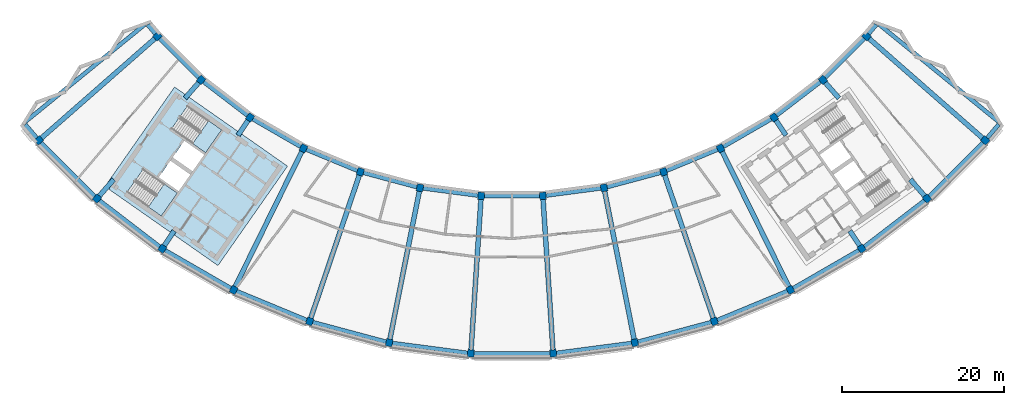
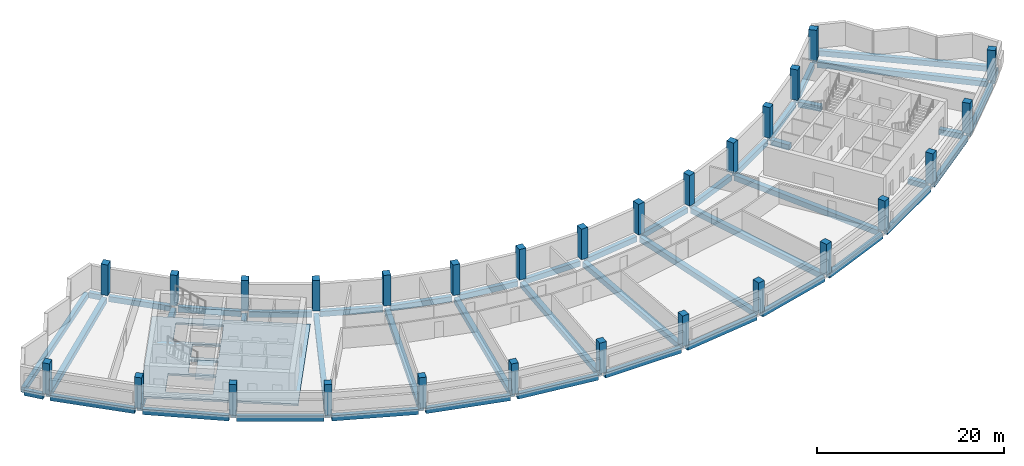
# One storey, part 1 of 11: 50 beams, 28 columns, 3 slabs, 2 elements without a shape of their own.
"""IFC4 building model written with IfcOpenShell, lengths in metres."""

import ifcopenshell
import ifcopenshell.guid

model = None  # the IFC model being written
_history = None  # IfcOwnerHistory: only IFC2X3 demands one
_inside = {}  # id of a spatial element -> (the spatial element, [elements in it])
_under = {}  # id of a project, library or spatial element -> (it, [spatial elements below it])
_declared = {}  # id of a project -> (the project, [libraries it declares])
_typed = {}  # id of a type object -> (the type object, [elements of that type])
_made_of = {}  # id of a material, layer set ... -> (it, [elements and type objects made of it])


def new_model(schema):
    """Start an empty IFC model of exactly this schema.

    Asked for "IFC4X3", IfcOpenShell would pick the latest addendum, in which some entities
    have other attributes; the version numbers below select the first issue.
    IFC2X3 requires an IfcOwnerHistory on every rooted entity: one is made here for all.
    """
    global model, _history
    if schema == "IFC4X3":
        model = ifcopenshell.file(schema_version=(4, 3, 0, 0))
    else:
        model = ifcopenshell.file(schema=schema)
    _inside.clear()
    _under.clear()
    _declared.clear()
    _typed.clear()
    _made_of.clear()
    _history = None
    if model.schema == "IFC2X3":
        org = make("IfcOrganization", Name="unknown")
        user = make(
            "IfcPersonAndOrganization",
            ThePerson=make("IfcPerson", FamilyName="unknown"),
            TheOrganization=org,
        )
        app = make(
            "IfcApplication",
            ApplicationDeveloper=org,
            Version="unknown",
            ApplicationFullName="unknown",
            ApplicationIdentifier="unknown",
        )
        _history = make(
            "IfcOwnerHistory",
            OwningUser=user,
            OwningApplication=app,
            ChangeAction="ADDED",
            CreationDate=0,
        )
    return model


def make(cls, **values):
    """One entity of the class cls with the attributes given. An attribute that is None is left unset."""
    return model.create_entity(
        cls, **{name: value for name, value in values.items() if value is not None}
    )


def rooted(cls, **values):
    """An entity with a GlobalId (a new one), such as an element, a storey or a relation."""
    return make(cls, GlobalId=ifcopenshell.guid.new(), OwnerHistory=_history, **values)


def si_unit(unit_type, name, prefix=None):
    """IfcSIUnit, for example si_unit("LENGTHUNIT", "METRE", prefix="MILLI")."""
    return make("IfcSIUnit", UnitType=unit_type, Prefix=prefix, Name=name)


def assignment(units):
    """IfcUnitAssignment: the units of a project."""
    return None if units is None else make("IfcUnitAssignment", Units=units)


def point(xyz):
    """IfcCartesianPoint."""
    return None if xyz is None else make("IfcCartesianPoint", Coordinates=xyz)


def direction(xyz):
    """IfcDirection."""
    return None if xyz is None else make("IfcDirection", DirectionRatios=xyz)


def frame(location, z_axis=None, x_axis=None):
    """IfcAxis2Placement3D, a coordinate frame: its origin and axes. An axis left out is left unset."""
    return make(
        "IfcAxis2Placement3D",
        Location=point(location),
        Axis=direction(z_axis),
        RefDirection=direction(x_axis),
    )


def frame_2d(location, x_axis=None):
    """IfcAxis2Placement2D, a coordinate frame in the plane: its origin and x axis."""
    return make(
        "IfcAxis2Placement2D", Location=point(location), RefDirection=direction(x_axis)
    )


def origin():
    """The frame at (0, 0, 0) with its axes left unset."""
    return frame((0.0, 0.0, 0.0))


def origin_2d():
    """The frame at (0, 0) in the plane with its x axis left unset."""
    return frame_2d((0.0, 0.0))


def place(relative_to, where):
    """IfcLocalPlacement: puts the frame where relative to a parent placement (None: the world)."""
    return make(
        "IfcLocalPlacement", PlacementRelTo=relative_to, RelativePlacement=where
    )


def context(
    kind, dimensions, precision=None, world=None, true_north=None, identifier=None
):
    """IfcGeometricRepresentationContext, for example the 3D "Model" context."""
    return make(
        "IfcGeometricRepresentationContext",
        ContextIdentifier=identifier,
        ContextType=kind,
        CoordinateSpaceDimension=dimensions,
        Precision=precision,
        WorldCoordinateSystem=world,
        TrueNorth=true_north,
    )


def subcontext(parent, identifier, kind, view, scale=None):
    """IfcGeometricRepresentationSubContext, for example "Body" below "Model"."""
    return make(
        "IfcGeometricRepresentationSubContext",
        ContextIdentifier=identifier,
        ContextType=kind,
        ParentContext=parent,
        TargetScale=scale,
        TargetView=view,
    )


def project(units=None, contexts=None):
    """IfcProject with its units and contexts."""
    return rooted(
        "IfcProject",
        Name="project",
        RepresentationContexts=contexts,
        UnitsInContext=assignment(units),
    )


def spatial(cls, under=None, at=None, **own):
    """A site, building, storey or space (cls), placed at a placement, below another one or the project."""
    s = rooted(cls, ObjectPlacement=at, **own)
    if under is not None:
        _under.setdefault(under.id(), (under, []))[1].append(s)
    return s


def polyline(points):
    """IfcPolyline through the points."""
    return make("IfcPolyline", Points=[point(p) for p in points])


def profile(cls, at=None, kind="AREA", **sizes):
    """A parametric profile (cls). Its sizes go by their IFC names, for example OverallWidth=200.0."""
    return make(cls, ProfileType=kind, Position=at, **sizes)


def rectangle(**sizes):
    """IfcRectangleProfileDef."""
    return profile("IfcRectangleProfileDef", **sizes)


def outline(outer, holes=None, kind="AREA"):
    """IfcArbitraryClosedProfileDef: a profile drawn as a closed curve; with holes, ...WithVoids."""
    if holes is None:
        return make("IfcArbitraryClosedProfileDef", ProfileType=kind, OuterCurve=outer)
    return make(
        "IfcArbitraryProfileDefWithVoids",
        ProfileType=kind,
        OuterCurve=outer,
        InnerCurves=holes,
    )


def extrude(swept, where, along, depth):
    """IfcExtrudedAreaSolid: the profile swept, set in the frame where, extruded along a direction by depth."""
    return make(
        "IfcExtrudedAreaSolid",
        SweptArea=swept,
        Position=where,
        ExtrudedDirection=direction(along),
        Depth=depth,
    )


def shape(context_of_items, identifier, shape_type, items):
    """IfcShapeRepresentation: the items that make up one representation, for example the "Body"."""
    return make(
        "IfcShapeRepresentation",
        ContextOfItems=context_of_items,
        RepresentationIdentifier=identifier,
        RepresentationType=shape_type,
        Items=items,
    )


def material(Name=None, Category=None):
    """IfcMaterial."""
    return make("IfcMaterial", Name=Name, Category=Category)


def layer(
    of_material, thickness, ventilated=None, Name=None, Category=None, Priority=None
):
    """IfcMaterialLayer: one layer of a wall or slab, of a material (None: an air gap)."""
    return make(
        "IfcMaterialLayer",
        Material=of_material,
        LayerThickness=thickness,
        IsVentilated=ventilated,
        Name=Name,
        Category=Category,
        Priority=Priority,
    )


def layer_set(layers, Name=None):
    """IfcMaterialLayerSet."""
    return make("IfcMaterialLayerSet", MaterialLayers=layers, LayerSetName=Name)


def material_profile(
    of_material, cross_section, Name=None, Category=None, Priority=None
):
    """IfcMaterialProfile: a cross section and its material."""
    return make(
        "IfcMaterialProfile",
        Name=Name,
        Material=of_material,
        Profile=cross_section,
        Priority=Priority,
        Category=Category,
    )


def profile_set(profiles, Name=None, composite=None):
    """IfcMaterialProfileSet."""
    return make(
        "IfcMaterialProfileSet",
        Name=Name,
        MaterialProfiles=profiles,
        CompositeProfile=composite,
    )


def made_of(thing, what):
    """Note that an element or type object is made of a material, layer set ...; save() writes the relation."""
    if what is not None:
        _made_of.setdefault(what.id(), (what, []))[1].append(thing)
    return thing


def type_object(cls, material=None, **own):
    """A type object (cls), such as IfcWallType, which elements share."""
    return made_of(rooted(cls, **own), material)


def element(
    cls,
    number,
    at=None,
    inside=None,
    cuts=None,
    type_object=None,
    material=None,
    context=None,
    identifier="Body",
    shape_type=None,
    held_by="IfcProductDefinitionShape",
    body=None,
    shapes=None,
    **own,
):
    """One element of the class cls, such as IfcWall. Its Tag is "e" and its number.

    at: its placement. inside: the storey or other place that contains it. cuts: it is an
    opening in that element (IfcRelVoidsElement). A single representation is given by context,
    identifier, shape_type and body (its items); several are given by shapes. held_by: the class
    of the entity that holds the representations. save() writes the other relations.
    """
    e = rooted(cls, Tag="e%d" % number, ObjectPlacement=at, **own)
    if body is not None:
        shapes = [shape(context, identifier, shape_type, body)]
    if shapes is not None:
        e.Representation = make(held_by, Representations=shapes)
    if inside is not None:
        _inside.setdefault(inside.id(), (inside, []))[1].append(e)
    if cuts is not None:
        rooted(
            "IfcRelVoidsElement", RelatingBuildingElement=cuts, RelatedOpeningElement=e
        )
    if type_object is not None:
        _typed.setdefault(type_object.id(), (type_object, []))[1].append(e)
    return made_of(e, material)


def aggregate(whole, parts):
    """IfcRelAggregates: a whole, such as a stair, and the parts it consists of."""
    return rooted("IfcRelAggregates", RelatingObject=whole, RelatedObjects=parts)


def save(model, path):
    """Write the relations noted so far, then the file.

    IfcRelAggregates (storeys below a building ...), IfcRelContainedInSpatialStructure (elements
    in a storey), IfcRelDefinesByType, IfcRelAssociatesMaterial and IfcRelDeclares: one each for
    every whole, place, type object, material and project.
    """
    for whole, parts in _under.values():
        aggregate(whole, parts)
    for where, things in _inside.values():
        rooted(
            "IfcRelContainedInSpatialStructure",
            RelatedElements=things,
            RelatingStructure=where,
        )
    for kind, things in _typed.values():
        rooted("IfcRelDefinesByType", RelatedObjects=things, RelatingType=kind)
    for what, things in _made_of.values():
        rooted("IfcRelAssociatesMaterial", RelatedObjects=things, RelatingMaterial=what)
    for by, libraries in _declared.values():
        rooted("IfcRelDeclares", RelatingContext=by, RelatedDefinitions=libraries)
    model.write(path)


model = new_model("IFC4")

# Units and contexts
model_context = context("Model", 3, precision=1e-05, world=origin(), true_north=direction((0.0, 1.0)))
body_context = subcontext(model_context, "Body", "Model", "MODEL_VIEW")
ifc_project = project(units=[si_unit("LENGTHUNIT", "METRE"), si_unit("AREAUNIT", "SQUARE_METRE"), si_unit("VOLUMEUNIT", "CUBIC_METRE"), si_unit("PLANEANGLEUNIT", "RADIAN"), si_unit("MASSUNIT", "GRAM", prefix="KILO")], contexts=[model_context])

# Site, building, storey
site_placement = place(None, origin())
site = spatial("IfcSite", under=ifc_project, at=site_placement, CompositionType="ELEMENT")
building_placement = place(site_placement, origin())
building = spatial("IfcBuilding", under=site, at=building_placement, Name="Qamariyya Broadcast Tower", CompositionType="ELEMENT")
storey_placement = place(building_placement, frame((0.0, 0.0, 314.699951171875)))
storey = spatial("IfcBuildingStorey", under=building, at=storey_placement, Name="L76", CompositionType="ELEMENT", Elevation=314.699951171875)

# Columns
ifc_material_1 = material(Name="Concrete C50/60", Category="concrete")
ifc_material_profile_1 = material_profile(ifc_material_1, rectangle(XDim=0.800048828125, YDim=0.89990234375, at=origin_2d()))
ifc_profile_set_1 = profile_set([ifc_material_profile_1], Name="Concrete C50/60")
column_type = type_object("IfcColumnType", Name="RC column 800 x 900 C50/60", PredefinedType="COLUMN", material=ifc_profile_set_1)
for number, where, z_axis, x_axis, name in (
    (1, (-43.794677734375, -38.406982421875, 0.0), (0.0, 0.0, 1.0), (0.6593458151, -0.751839807479, 0.0), "Column C13 L76 B-R04"),
    (2, (-58.45556640625, -51.26416015625, 0.0), (0.0, 0.0, 1.0), (0.6593458151, -0.751839807479, 0.0), "Column C13 L76 C-R04"),
    (3, (-38.406982421875, -43.794677734375, 0.0), (0.0, 0.0, 1.0), (0.751839807479, -0.6593458151, 0.0), "Column C13 L76 B-R05"),
    (4, (-51.26416015625, -58.45556640625, 0.0), (0.0, 0.0, 1.0), (0.751839807479, -0.6593458151, 0.0), "Column C13 L76 C-R05"),
    (5, (-32.362060546875, -48.43310546875, 0.0), (0.0, 0.0, 1.0), (0.831469612303, -0.55557023302, 0.0), "Column C13 L76 B-R06"),
    (6, (-43.195556640625, -64.646728515625, 0.0), (0.0, 0.0, 1.0), (0.831469612303, -0.55557023302, 0.0), "Column C13 L76 C-R06"),
    (7, (-25.763427734375, -52.242919921875, 0.0), (0.0, 0.0, 1.0), (0.896872741533, -0.442288690219, 0.0), "Column C13 L76 B-R07"),
    (8, (-34.387939453125, -69.73193359375, 0.0), (0.0, 0.0, 1.0), (0.896872741533, -0.442288690219, 0.0), "Column C13 L76 C-R07"),
    (9, (-18.723876953125, -55.15869140625, 0.0), (0.0, 0.0, 1.0), (0.946930129495, -0.321439465303, 0.0), "Column C13 L76 B-R08"),
    (10, (-24.991943359375, -73.623779296875, 0.0), (0.0, 0.0, 1.0), (0.946930129495, -0.321439465303, 0.0), "Column C13 L76 C-R08"),
    (11, (-11.364013671875, -57.130859375, 0.0), (0.0, 0.0, 1.0), (0.980785280403, -0.195090322016, 0.0), "Column C13 L76 B-R09"),
    (12, (-15.168212890625, -76.256103515625, 0.0), (0.0, 0.0, 1.0), (0.980785280403, -0.195090322016, 0.0), "Column C13 L76 C-R09"),
    (13, (-3.809814453125, -58.125244140625, 0.0), (0.0, 0.0, 1.0), (0.997858923239, -0.06540312923, 0.0), "Column C13 L76 B-R10"),
    (14, (-5.085205078125, -77.58349609375, 0.0), (0.0, 0.0, 1.0), (0.997858923239, -0.06540312923, 0.0), "Column C13 L76 C-R10"),
    (15, (3.809814453125, -58.125244140625, 0.0), (0.0, 0.0, 1.0), (0.997858923239, 0.06540312923, 0.0), "Column C13 L76 B-R11"),
    (16, (5.085205078125, -77.58349609375, 0.0), (0.0, 0.0, 1.0), (0.997858923239, 0.06540312923, 0.0), "Column C13 L76 C-R11"),
    (17, (11.364013671875, -57.130859375, 0.0), (0.0, 0.0, 1.0), (0.980785280403, 0.195090322016, 0.0), "Column C13 L76 B-R12"),
    (18, (15.168212890625, -76.256103515625, 0.0), (0.0, 0.0, 1.0), (0.980785280403, 0.195090322016, 0.0), "Column C13 L76 C-R12"),
    (19, (18.723876953125, -55.15869140625, 0.0), (0.0, 0.0, 1.0), (0.946930129495, 0.321439465303, 0.0), "Column C13 L76 B-R13"),
    (20, (24.991943359375, -73.623779296875, 0.0), (0.0, 0.0, 1.0), (0.946930129495, 0.321439465303, 0.0), "Column C13 L76 C-R13"),
    (21, (25.763427734375, -52.242919921875, 0.0), (0.0, 0.0, 1.0), (0.896872741533, 0.442288690219, 0.0), "Column C13 L76 B-R14"),
    (22, (34.387939453125, -69.73193359375, 0.0), (0.0, 0.0, 1.0), (0.896872741533, 0.442288690219, 0.0), "Column C13 L76 C-R14"),
    (23, (32.362060546875, -48.43310546875, 0.0), (0.0, 0.0, 1.0), (0.831469612303, 0.55557023302, 0.0), "Column C13 L76 B-R15"),
    (24, (43.195556640625, -64.646728515625, 0.0), (0.0, 0.0, 1.0), (0.831469612303, 0.55557023302, 0.0), "Column C13 L76 C-R15"),
    (25, (38.406982421875, -43.794677734375, 0.0), (0.0, 0.0, 1.0), (0.751839807479, 0.6593458151, 0.0), "Column C13 L76 B-R16"),
    (26, (51.26416015625, -58.45556640625, 0.0), (0.0, 0.0, 1.0), (0.751839807479, 0.6593458151, 0.0), "Column C13 L76 C-R16"),
    (27, (43.794677734375, -38.406982421875, 0.0), (0.0, 0.0, 1.0), (0.6593458151, 0.751839807479, 0.0), "Column C13 L76 B-R17"),
    (28, (58.45556640625, -51.26416015625, 0.0), (0.0, 0.0, 1.0), (0.6593458151, 0.751839807479, 0.0), "Column C13 L76 C-R17"),
):
    element("IfcColumn", number, at=place(storey_placement, frame(where, z_axis=z_axis, x_axis=x_axis)), inside=storey, type_object=column_type, Name=name, PredefinedType="COLUMN", context=body_context, shape_type="SweptSolid", body=[
        extrude(rectangle(XDim=0.800048828125, YDim=0.89990234375, at=origin_2d()), origin(), (0.0, 0.0, 1.0), 4.0),
    ])

# Beams
ifc_material_2 = material(Name="Concrete C40/50", Category="concrete")
ifc_material_profile_2 = material_profile(ifc_material_2, rectangle(XDim=0.5, YDim=0.699951171875, at=origin_2d()))
ifc_profile_set_2 = profile_set([ifc_material_profile_2], Name="Concrete C40/50")
beam_type_1 = type_object("IfcBeamType", Name="RC edge beam 500 x 700 C40/50", PredefinedType="SPANDREL", material=ifc_profile_set_2)
beam_1_placement = place(storey_placement, frame((-43.51123046875, -38.6904296875, -0.599853515625), z_axis=(0.707106781187, -0.707106781187, 0.0), x_axis=(0.707106781187, 0.707106781187, 0.0)))
element("IfcBeam", 29, at=beam_1_placement, inside=storey, type_object=beam_type_1, Name="Edge beam B32 L76 B R04-R05", PredefinedType="SPANDREL", context=body_context, shape_type="SweptSolid", body=[
    extrude(rectangle(XDim=0.5, YDim=0.699951171875, at=origin_2d()), origin(), (0.0, 0.0, 1.0), 6.817626953125),
])
for number, where, z_axis, x_axis, name in (
    (30, (-38.0888671875, -44.03857421875, -0.599853515625), (0.793355578527, -0.608758512072, 0.0), (0.608758512072, 0.793355578527, 0.0), "Edge beam B32 L76 B R05-R06"),
    (31, (-32.014892578125, -48.633544921875, -0.599853515625), (0.866028756998, -0.499994192018, 0.0), (0.499994192018, 0.866028756998, 0.0), "Edge beam B32 L76 B R06-R07"),
    (32, (-25.39306640625, -52.396240234375, -0.599853515625), (0.923875859791, -0.382692298976, 0.0), (0.382692298976, 0.923875859791, 0.0), "Edge beam B32 L76 B R07-R08"),
    (33, (-18.336669921875, -55.262451171875, -0.599853515625), (0.965922796001, -0.258830354026, 0.0), (0.258830354026, 0.965922796001, 0.0), "Edge beam B32 L76 B R08-R09"),
):
    element("IfcBeam", number, at=place(storey_placement, frame(where, z_axis=z_axis, x_axis=x_axis)), inside=storey, type_object=beam_type_1, Name=name, PredefinedType="SPANDREL", context=body_context, shape_type="SweptSolid", body=[
        extrude(rectangle(XDim=0.5, YDim=0.699951171875, at=origin_2d()), origin(), (0.0, 0.0, 1.0), 6.81787109375),
    ])
beam_2_placement = place(storey_placement, frame((-10.966552734375, -57.18310546875, -0.599853515625), z_axis=(0.991444541835, -0.130528619338, 0.0), x_axis=(0.130528619338, 0.991444541835, 0.0)))
element("IfcBeam", 34, at=beam_2_placement, inside=storey, type_object=beam_type_1, Name="Edge beam B32 L76 B R09-R10", PredefinedType="SPANDREL", context=body_context, shape_type="SweptSolid", body=[
    extrude(rectangle(XDim=0.5, YDim=0.699951171875, at=origin_2d()), origin(), (0.0, 0.0, 1.0), 6.817626953125),
])
beam_3_placement = place(storey_placement, frame((-3.408935546875, -58.125244140625, -0.599853515625), z_axis=(1.0, 0.0, 0.0), x_axis=(0.0, 1.0, 0.0)))
element("IfcBeam", 35, at=beam_3_placement, inside=storey, type_object=beam_type_1, Name="Edge beam B32 L76 B R10-R11", PredefinedType="SPANDREL", context=body_context, shape_type="SweptSolid", body=[
    extrude(rectangle(XDim=0.5, YDim=0.699951171875, at=origin_2d()), origin(), (0.0, 0.0, 1.0), 6.81787109375),
])
beam_4_placement = place(storey_placement, frame((4.207275390625, -58.072998046875, -0.599853515625), z_axis=(0.991444541835, 0.130528619338, 0.0), x_axis=(-0.130528619338, 0.991444541835, 0.0)))
element("IfcBeam", 36, at=beam_4_placement, inside=storey, type_object=beam_type_1, Name="Edge beam B32 L76 B R11-R12", PredefinedType="SPANDREL", context=body_context, shape_type="SweptSolid", body=[
    extrude(rectangle(XDim=0.5, YDim=0.699951171875, at=origin_2d()), origin(), (0.0, 0.0, 1.0), 6.817626953125),
])
for number, where, z_axis, x_axis, name in (
    (37, (11.751220703125, -57.027099609375, -0.599853515625), (0.965922796001, 0.258830354026, 0.0), (-0.258830354026, 0.965922796001, 0.0), "Edge beam B32 L76 B R12-R13"),
    (38, (19.09423828125, -55.00537109375, -0.599853515625), (0.923875859791, 0.382692298976, 0.0), (-0.382692298976, 0.923875859791, 0.0), "Edge beam B32 L76 B R13-R14"),
    (39, (26.1103515625, -52.04248046875, -0.599853515625), (0.866028756998, 0.499994192018, 0.0), (-0.499994192018, 0.866028756998, 0.0), "Edge beam B32 L76 B R14-R15"),
    (40, (32.679931640625, -48.18896484375, -0.599853515625), (0.793355578527, 0.608758512072, 0.0), (-0.608758512072, 0.793355578527, 0.0), "Edge beam B32 L76 B R15-R16"),
):
    element("IfcBeam", number, at=place(storey_placement, frame(where, z_axis=z_axis, x_axis=x_axis)), inside=storey, type_object=beam_type_1, Name=name, PredefinedType="SPANDREL", context=body_context, shape_type="SweptSolid", body=[
        extrude(rectangle(XDim=0.5, YDim=0.699951171875, at=origin_2d()), origin(), (0.0, 0.0, 1.0), 6.81787109375),
    ])
beam_5_placement = place(storey_placement, frame((38.6904296875, -43.51123046875, -0.599853515625), z_axis=(0.707106781187, 0.707106781187, 0.0), x_axis=(-0.707106781187, 0.707106781187, 0.0)))
element("IfcBeam", 41, at=beam_5_placement, inside=storey, type_object=beam_type_1, Name="Edge beam B32 L76 B R16-R17", PredefinedType="SPANDREL", context=body_context, shape_type="SweptSolid", body=[
    extrude(rectangle(XDim=0.5, YDim=0.699951171875, at=origin_2d()), origin(), (0.0, 0.0, 1.0), 6.817626953125),
])
for number, where, z_axis, x_axis, name in (
    (42, (-58.172119140625, -51.547607421875, -0.599853515625), (0.707106781187, -0.707106781187, 0.0), (0.707106781187, 0.707106781187, 0.0), "Edge beam B32 L76 C R04-R05"),
    (43, (-50.946044921875, -58.699462890625, -0.599853515625), (0.793337425087, -0.608782169545, 0.0), (0.608782169545, 0.793337425087, 0.0), "Edge beam B32 L76 C R05-R06"),
    (44, (-42.848388671875, -64.84716796875, -0.599853515625), (0.866019808396, -0.500009691372, 0.0), (0.500009691372, 0.866019808396, 0.0), "Edge beam B32 L76 C R06-R07"),
    (45, (-34.017578125, -69.88525390625, -0.599853515625), (0.923876761165, -0.382690122919, 0.0), (0.382690122919, 0.923876761165, 0.0), "Edge beam B32 L76 C R07-R08"),
):
    element("IfcBeam", number, at=place(storey_placement, frame(where, z_axis=z_axis, x_axis=x_axis)), inside=storey, type_object=beam_type_1, Name=name, PredefinedType="SPANDREL", context=body_context, shape_type="SweptSolid", body=[
        extrude(rectangle(XDim=0.5, YDim=0.699951171875, at=origin_2d()), origin(), (0.0, 0.0, 1.0), 9.368408203125),
    ])
beam_6_placement = place(storey_placement, frame((-24.604736328125, -73.7275390625, -0.599853515625), z_axis=(0.965924554352, -0.258823791988, 0.0), x_axis=(0.258823791988, 0.965924554352, 0.0)))
element("IfcBeam", 46, at=beam_6_placement, inside=storey, type_object=beam_type_1, Name="Edge beam B32 L76 C R08-R09", PredefinedType="SPANDREL", context=body_context, shape_type="SweptSolid", body=[
    extrude(rectangle(XDim=0.5, YDim=0.699951171875, at=origin_2d()), origin(), (0.0, 0.0, 1.0), 9.36865234375),
])
beam_7_placement = place(storey_placement, frame((-14.770751953125, -76.308349609375, -0.599853515625), z_axis=(0.991443914621, -0.130533383318, 0.0), x_axis=(0.130533383318, 0.991443914621, 0.0)))
element("IfcBeam", 47, at=beam_7_placement, inside=storey, type_object=beam_type_1, Name="Edge beam B32 L76 C R09-R10", PredefinedType="SPANDREL", context=body_context, shape_type="SweptSolid", body=[
    extrude(rectangle(XDim=0.5, YDim=0.699951171875, at=origin_2d()), origin(), (0.0, 0.0, 1.0), 9.368408203125),
])
beam_8_placement = place(storey_placement, frame((-4.684326171875, -77.58349609375, -0.599853515625), z_axis=(1.0, 0.0, 0.0), x_axis=(0.0, 1.0, 0.0)))
element("IfcBeam", 48, at=beam_8_placement, inside=storey, type_object=beam_type_1, Name="Edge beam B32 L76 C R10-R11", PredefinedType="SPANDREL", context=body_context, shape_type="SweptSolid", body=[
    extrude(rectangle(XDim=0.5, YDim=0.699951171875, at=origin_2d()), origin(), (0.0, 0.0, 1.0), 9.36865234375),
])
beam_9_placement = place(storey_placement, frame((5.482421875, -77.53125, -0.599853515625), z_axis=(0.991443914621, 0.130533383318, 0.0), x_axis=(-0.130533383318, 0.991443914621, 0.0)))
element("IfcBeam", 49, at=beam_9_placement, inside=storey, type_object=beam_type_1, Name="Edge beam B32 L76 C R11-R12", PredefinedType="SPANDREL", context=body_context, shape_type="SweptSolid", body=[
    extrude(rectangle(XDim=0.5, YDim=0.699951171875, at=origin_2d()), origin(), (0.0, 0.0, 1.0), 9.368408203125),
])
beam_10_placement = place(storey_placement, frame((15.555419921875, -76.15234375, -0.599853515625), z_axis=(0.965924554352, 0.258823791988, 0.0), x_axis=(-0.258823791988, 0.965924554352, 0.0)))
element("IfcBeam", 50, at=beam_10_placement, inside=storey, type_object=beam_type_1, Name="Edge beam B32 L76 C R12-R13", PredefinedType="SPANDREL", context=body_context, shape_type="SweptSolid", body=[
    extrude(rectangle(XDim=0.5, YDim=0.699951171875, at=origin_2d()), origin(), (0.0, 0.0, 1.0), 9.36865234375),
])
for number, where, z_axis, x_axis, name in (
    (51, (25.3623046875, -73.470458984375, -0.599853515625), (0.923876761165, 0.382690122919, 0.0), (-0.382690122919, 0.923876761165, 0.0), "Edge beam B32 L76 C R13-R14"),
    (52, (34.735107421875, -69.531494140625, -0.599853515625), (0.866019808396, 0.500009691372, 0.0), (-0.500009691372, 0.866019808396, 0.0), "Edge beam B32 L76 C R14-R15"),
    (53, (43.513671875, -64.40283203125, -0.599853515625), (0.793337425087, 0.608782169545, 0.0), (-0.608782169545, 0.793337425087, 0.0), "Edge beam B32 L76 C R15-R16"),
    (54, (51.547607421875, -58.172119140625, -0.599853515625), (0.707106781187, 0.707106781187, 0.0), (-0.707106781187, 0.707106781187, 0.0), "Edge beam B32 L76 C R16-R17"),
):
    element("IfcBeam", number, at=place(storey_placement, frame(where, z_axis=z_axis, x_axis=x_axis)), inside=storey, type_object=beam_type_1, Name=name, PredefinedType="SPANDREL", context=body_context, shape_type="SweptSolid", body=[
        extrude(rectangle(XDim=0.5, YDim=0.699951171875, at=origin_2d()), origin(), (0.0, 0.0, 1.0), 9.368408203125),
    ])
ifc_material_profile_3 = material_profile(ifc_material_2, rectangle(XDim=0.5, YDim=0.699951171875, at=origin_2d()))
ifc_profile_set_3 = profile_set([ifc_material_profile_3], Name="Concrete C40/50")
beam_type_2 = type_object("IfcBeamType", Name="RC horn beam 500 x 700 C40/50", PredefinedType="BEAM", material=ifc_profile_set_3)
beam_11_placement = place(storey_placement, frame((-44.052978515625, -38.101318359375, -0.599853515625), z_axis=(-0.645562267298, 0.763707639769, 0.0), x_axis=(-0.763707639769, -0.645562267298, 0.0)))
element("IfcBeam", 55, at=beam_11_placement, inside=storey, type_object=beam_type_2, Name="Horn beam B33 L76 W B-R04", PredefinedType="BEAM", context=body_context, shape_type="SweptSolid", body=[
    extrude(rectangle(XDim=0.5, YDim=0.699951171875, at=origin_2d()), origin(), (0.0, 0.0, 1.0), 1.46923828125),
])
beam_12_placement = place(storey_placement, frame((-58.7138671875, -50.95849609375, -0.599853515625), z_axis=(-0.645580484074, 0.763692240751, 0.0), x_axis=(-0.763692240751, -0.645580484074, 0.0)))
element("IfcBeam", 56, at=beam_12_placement, inside=storey, type_object=beam_type_2, Name="Horn beam B33 L76 W C-R04", PredefinedType="BEAM", context=body_context, shape_type="SweptSolid", body=[
    extrude(rectangle(XDim=0.5, YDim=0.699951171875, at=origin_2d()), origin(), (0.0, 0.0, 1.0), 2.1787109375),
])
beam_13_placement = place(storey_placement, frame((44.052978515625, -38.101318359375, -0.599853515625), z_axis=(0.645562267298, 0.763707639769, 0.0), x_axis=(-0.763707639769, 0.645562267298, 0.0)))
element("IfcBeam", 57, at=beam_13_placement, inside=storey, type_object=beam_type_2, Name="Horn beam B33 L76 E B-R17", PredefinedType="BEAM", context=body_context, shape_type="SweptSolid", body=[
    extrude(rectangle(XDim=0.5, YDim=0.699951171875, at=origin_2d()), origin(), (0.0, 0.0, 1.0), 1.46923828125),
])
beam_14_placement = place(storey_placement, frame((58.7138671875, -50.95849609375, -0.599853515625), z_axis=(0.645580484074, 0.763692240751, 0.0), x_axis=(-0.763692240751, 0.645580484074, 0.0)))
element("IfcBeam", 58, at=beam_14_placement, inside=storey, type_object=beam_type_2, Name="Horn beam B33 L76 E C-R17", PredefinedType="BEAM", context=body_context, shape_type="SweptSolid", body=[
    extrude(rectangle(XDim=0.5, YDim=0.699951171875, at=origin_2d()), origin(), (0.0, 0.0, 1.0), 2.1787109375),
])
ifc_material_profile_4 = material_profile(ifc_material_2, rectangle(XDim=0.5, YDim=0.699951171875, at=origin_2d()))
ifc_profile_set_4 = profile_set([ifc_material_profile_4], Name="Concrete C40/50")
beam_type_3 = type_object("IfcBeamType", Name="RC horn cap beam 500 x 700 C40/50", PredefinedType="BEAM", material=ifc_profile_set_4)
for number, where, z_axis, x_axis, name in (
    (59, (-45.356689453125, -36.9462890625, -0.599853515625), (-0.775330061416, -0.631556249169, 0.0), (0.631556249169, -0.775330061416, 0.0), "Horn cap beam B21 L76 W B-C"),
    (60, (45.356689453125, -36.9462890625, -0.599853515625), (0.775330061416, -0.631556249169, 0.0), (0.631556249169, 0.775330061416, 0.0), "Horn cap beam B21 L76 E B-C"),
):
    element("IfcBeam", number, at=place(storey_placement, frame(where, z_axis=z_axis, x_axis=x_axis)), inside=storey, type_object=beam_type_3, Name=name, PredefinedType="BEAM", context=body_context, shape_type="SweptSolid", body=[
        extrude(rectangle(XDim=0.5, YDim=0.699951171875, at=origin_2d()), origin(), (0.0, 0.0, 1.0), 19.0),
    ])
ifc_material_profile_5 = material_profile(ifc_material_2, rectangle(XDim=0.60009765625, YDim=0.699951171875, at=origin_2d()))
ifc_profile_set_5 = profile_set([ifc_material_profile_5], Name="Concrete C40/50")
beam_type_4 = type_object("IfcBeamType", Name="RC radial beam 600 x 700 C40/50", PredefinedType="BEAM", material=ifc_profile_set_5)
beam_15_placement = place(storey_placement, frame((-44.133056640625, -38.70361328125, -0.599853515625), z_axis=(-0.751835479309, -0.659350750399, 0.0), x_axis=(0.659350750399, -0.751835479309, 0.0)))
element("IfcBeam", 61, at=beam_15_placement, inside=storey, type_object=beam_type_4, Name="Radial beam B31 L76 R04 B-C", PredefinedType="BEAM", context=body_context, shape_type="SweptSolid", body=[
    extrude(rectangle(XDim=0.60009765625, YDim=0.699951171875, at=origin_2d()), origin(), (0.0, 0.0, 1.0), 18.60009765625),
])
beam_16_placement = place(storey_placement, frame((-38.70361328125, -44.133056640625, -0.599853515625), z_axis=(-0.65936701245, -0.751821217373, 0.0), x_axis=(0.751821217373, -0.65936701245, 0.0)))
element("IfcBeam", 62, at=beam_16_placement, inside=storey, type_object=beam_type_4, Name="Radial beam B31 L76 R05 B-C", PredefinedType="BEAM", context=body_context, shape_type="SweptSolid", body=[
    extrude(rectangle(XDim=0.60009765625, YDim=0.699951171875, at=origin_2d()), origin(), (0.0, 0.0, 1.0), 2.56396484375),
])
beam_17_placement = place(storey_placement, frame((-49.1943359375, -56.095458984375, -0.599853515625), z_axis=(-0.659384708976, -0.751805696686, 0.0), x_axis=(0.751805696686, -0.659384708976, 0.0)))
element("IfcBeam", 63, at=beam_17_placement, inside=storey, type_object=beam_type_4, Name="Radial beam B31 L76 R05 B-C", PredefinedType="BEAM", context=body_context, shape_type="SweptSolid", body=[
    extrude(rectangle(XDim=0.60009765625, YDim=0.699951171875, at=origin_2d()), origin(), (0.0, 0.0, 1.0), 2.689208984375),
])
beam_18_placement = place(storey_placement, frame((-32.612060546875, -48.807373046875, -0.599853515625), z_axis=(-0.555590424473, -0.83145612045, 0.0), x_axis=(0.83145612045, -0.555590424473, 0.0)))
element("IfcBeam", 64, at=beam_18_placement, inside=storey, type_object=beam_type_4, Name="Radial beam B31 L76 R06 B-C", PredefinedType="BEAM", context=body_context, shape_type="SweptSolid", body=[
    extrude(rectangle(XDim=0.60009765625, YDim=0.699951171875, at=origin_2d()), origin(), (0.0, 0.0, 1.0), 2.21435546875),
])
beam_19_placement = place(storey_placement, frame((-41.733154296875, -62.458251953125, -0.599853515625), z_axis=(-0.555577686168, -0.83146463222, 0.0), x_axis=(0.83146463222, -0.555577686168, 0.0)))
element("IfcBeam", 65, at=beam_19_placement, inside=storey, type_object=beam_type_4, Name="Radial beam B31 L76 R06 B-C", PredefinedType="BEAM", context=body_context, shape_type="SweptSolid", body=[
    extrude(rectangle(XDim=0.60009765625, YDim=0.699951171875, at=origin_2d()), origin(), (0.0, 0.0, 1.0), 2.18212890625),
])
for number, where, z_axis, x_axis, name in (
    (66, (-25.96240234375, -52.646484375, -0.599853515625), (-0.442287277377, -0.896873438268, 0.0), (0.896873438268, -0.442287277377, 0.0), "Radial beam B31 L76 R07 B-C"),
    (67, (-18.868408203125, -55.584716796875, -0.599853515625), (-0.321436539423, -0.946931122692, 0.0), (0.946931122692, -0.321436539423, 0.0), "Radial beam B31 L76 R08 B-C"),
    (68, (-11.451904296875, -57.572021484375, -0.599853515625), (-0.195088681676, -0.980785606686, 0.0), (0.980785606686, -0.195088681676, 0.0), "Radial beam B31 L76 R09 B-C"),
    (69, (-3.839111328125, -58.57421875, -0.599853515625), (-0.065405603651, -0.997858761053, 0.0), (0.997858761053, -0.065405603651, 0.0), "Radial beam B31 L76 R10 B-C"),
    (70, (3.839111328125, -58.57421875, -0.599853515625), (0.065405603651, -0.997858761053, 0.0), (0.997858761053, 0.065405603651, 0.0), "Radial beam B31 L76 R11 B-C"),
    (71, (11.451904296875, -57.572021484375, -0.599853515625), (0.195088681676, -0.980785606686, 0.0), (0.980785606686, 0.195088681676, 0.0), "Radial beam B31 L76 R12 B-C"),
    (72, (18.868408203125, -55.584716796875, -0.599853515625), (0.321436539423, -0.946931122692, 0.0), (0.946931122692, 0.321436539423, 0.0), "Radial beam B31 L76 R13 B-C"),
    (73, (25.96240234375, -52.646484375, -0.599853515625), (0.442287277377, -0.896873438268, 0.0), (0.896873438268, 0.442287277377, 0.0), "Radial beam B31 L76 R14 B-C"),
):
    element("IfcBeam", number, at=place(storey_placement, frame(where, z_axis=z_axis, x_axis=x_axis)), inside=storey, type_object=beam_type_4, Name=name, PredefinedType="BEAM", context=body_context, shape_type="SweptSolid", body=[
        extrude(rectangle(XDim=0.60009765625, YDim=0.699951171875, at=origin_2d()), origin(), (0.0, 0.0, 1.0), 18.60009765625),
    ])
beam_20_placement = place(storey_placement, frame((32.612060546875, -48.807373046875, -0.599853515625), z_axis=(0.555590424473, -0.83145612045, 0.0), x_axis=(0.83145612045, 0.555590424473, 0.0)))
element("IfcBeam", 74, at=beam_20_placement, inside=storey, type_object=beam_type_4, Name="Radial beam B31 L76 R15 B-C", PredefinedType="BEAM", context=body_context, shape_type="SweptSolid", body=[
    extrude(rectangle(XDim=0.60009765625, YDim=0.699951171875, at=origin_2d()), origin(), (0.0, 0.0, 1.0), 2.21435546875),
])
beam_21_placement = place(storey_placement, frame((41.733154296875, -62.458251953125, -0.599853515625), z_axis=(0.555577686168, -0.83146463222, 0.0), x_axis=(0.83146463222, 0.555577686168, 0.0)))
element("IfcBeam", 75, at=beam_21_placement, inside=storey, type_object=beam_type_4, Name="Radial beam B31 L76 R15 B-C", PredefinedType="BEAM", context=body_context, shape_type="SweptSolid", body=[
    extrude(rectangle(XDim=0.60009765625, YDim=0.699951171875, at=origin_2d()), origin(), (0.0, 0.0, 1.0), 2.18212890625),
])
beam_22_placement = place(storey_placement, frame((38.70361328125, -44.133056640625, -0.599853515625), z_axis=(0.65936701245, -0.751821217373, 0.0), x_axis=(0.751821217373, 0.65936701245, 0.0)))
element("IfcBeam", 76, at=beam_22_placement, inside=storey, type_object=beam_type_4, Name="Radial beam B31 L76 R16 B-C", PredefinedType="BEAM", context=body_context, shape_type="SweptSolid", body=[
    extrude(rectangle(XDim=0.60009765625, YDim=0.699951171875, at=origin_2d()), origin(), (0.0, 0.0, 1.0), 2.56396484375),
])
beam_23_placement = place(storey_placement, frame((49.1943359375, -56.095458984375, -0.599853515625), z_axis=(0.659384708976, -0.751805696686, 0.0), x_axis=(0.751805696686, 0.659384708976, 0.0)))
element("IfcBeam", 77, at=beam_23_placement, inside=storey, type_object=beam_type_4, Name="Radial beam B31 L76 R16 B-C", PredefinedType="BEAM", context=body_context, shape_type="SweptSolid", body=[
    extrude(rectangle(XDim=0.60009765625, YDim=0.699951171875, at=origin_2d()), origin(), (0.0, 0.0, 1.0), 2.689208984375),
])
beam_24_placement = place(storey_placement, frame((44.133056640625, -38.70361328125, -0.599853515625), z_axis=(0.751835479309, -0.659350750399, 0.0), x_axis=(0.659350750399, 0.751835479309, 0.0)))
element("IfcBeam", 78, at=beam_24_placement, inside=storey, type_object=beam_type_4, Name="Radial beam B31 L76 R17 B-C", PredefinedType="BEAM", context=body_context, shape_type="SweptSolid", body=[
    extrude(rectangle(XDim=0.60009765625, YDim=0.699951171875, at=origin_2d()), origin(), (0.0, 0.0, 1.0), 18.60009765625),
])

# Slab
ifc_layer_1 = layer(ifc_material_2, 0.25)
ifc_layer_set_1 = layer_set([ifc_layer_1], Name="Core floor slab 250 mm Concrete C40/50")
slab_type_1 = type_object("IfcSlabType", Name="Core floor slab 250 mm Concrete C40/50", PredefinedType="FLOOR", material=ifc_layer_set_1)
slab_1_placement = place(storey_placement, frame((0.0, 0.0, -0.25)))
element("IfcSlab", 79, at=slab_1_placement, inside=storey, type_object=slab_type_1, Name="k-W-L76-slab", PredefinedType="FLOOR", context=body_context, shape_type="SweptSolid", body=[
    extrude(outline(polyline([(-50.286376953125, -56.95751953125), (-36.32373046875, -66.734375), (-27.719970703125, -54.447021484375), (-41.6826171875, -44.67041015625), (-50.286376953125, -56.95751953125)]), holes=[polyline([(-39.742431640625, -55.489990234375), (-42.199951171875, -53.769287109375), (-43.6337890625, -55.817138671875), (-41.17626953125, -57.537841796875), (-39.742431640625, -55.489990234375)]), polyline([(-39.45556640625, -55.080322265625), (-41.9130859375, -53.359619140625), (-40.47900390625, -51.311767578125), (-38.021728515625, -53.032470703125), (-39.45556640625, -55.080322265625)]), polyline([(-42.06103515625, -49.837890625), (-37.849609375, -52.78662109375), (-35.870849609375, -49.960693359375), (-40.082275390625, -47.01171875), (-42.06103515625, -49.837890625)]), polyline([(-47.538818359375, -57.66064453125), (-43.3271484375, -60.609619140625), (-41.348388671875, -57.783447265625), (-45.559814453125, -54.834716796875), (-47.538818359375, -57.66064453125)])]), origin(), (0.0, 0.0, 1.0), 0.25),
])

# Stair, slab
stair_type = type_object("IfcStairType", Name="Exit stair 24 risers of 167 mm", PredefinedType="HALF_TURN_STAIR", material=ifc_material_1)
stair_1_placement = place(storey_placement, origin())
stair_1 = element("IfcStair", 80, at=stair_1_placement, inside=storey, type_object=stair_type, Name="L76 Stair W2", PredefinedType="HALF_TURN_STAIR")
ifc_layer_2 = layer(ifc_material_1, 0.199951171875)
ifc_layer_set_2 = layer_set([ifc_layer_2], Name="Stair landing")
slab_type_2 = type_object("IfcSlabType", Name="Stair landing", PredefinedType="LANDING", material=ifc_layer_set_2)
slab_2_placement = place(storey_placement, frame((0.0, 0.0, 1.800048828125)))
slab_2 = element("IfcSlab", 81, at=slab_2_placement, type_object=slab_type_2, Name="ST-W2 landing 1", PredefinedType="LANDING", context=body_context, shape_type="SweptSolid", body=[
    extrude(outline(polyline([(-39.45458984375, -51.662841796875), (-37.849609375, -52.78662109375), (-35.870849609375, -49.960693359375), (-37.475830078125, -48.8369140625), (-39.45458984375, -51.662841796875)])), origin(), (0.0, 0.0, 1.0), 0.199951171875),
])
aggregate(stair_1, [slab_2])

stair_2_placement = place(storey_placement, origin())
stair_2 = element("IfcStair", 82, at=stair_2_placement, inside=storey, type_object=stair_type, Name="L76 Stair W1", PredefinedType="HALF_TURN_STAIR")
slab_3_placement = place(storey_placement, frame((0.0, 0.0, 1.800048828125)))
slab_3 = element("IfcSlab", 83, at=slab_3_placement, type_object=slab_type_2, Name="ST-W1 landing 1", PredefinedType="LANDING", context=body_context, shape_type="SweptSolid", body=[
    extrude(outline(polyline([(-44.93212890625, -59.48583984375), (-43.3271484375, -60.609619140625), (-41.348388671875, -57.783447265625), (-42.953369140625, -56.65966796875), (-44.93212890625, -59.48583984375)])), origin(), (0.0, 0.0, 1.0), 0.199951171875),
])
aggregate(stair_2, [slab_3])

save(model, "model.ifc")
